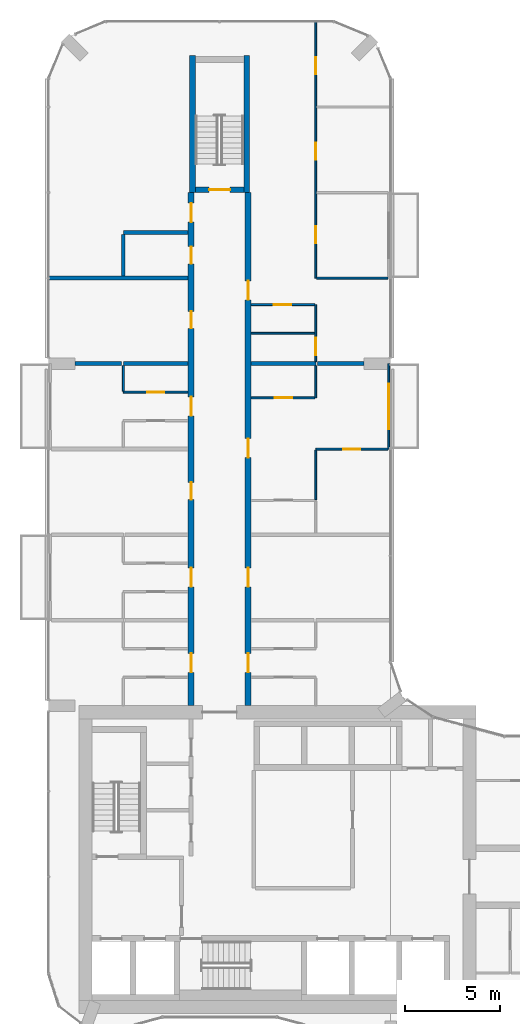
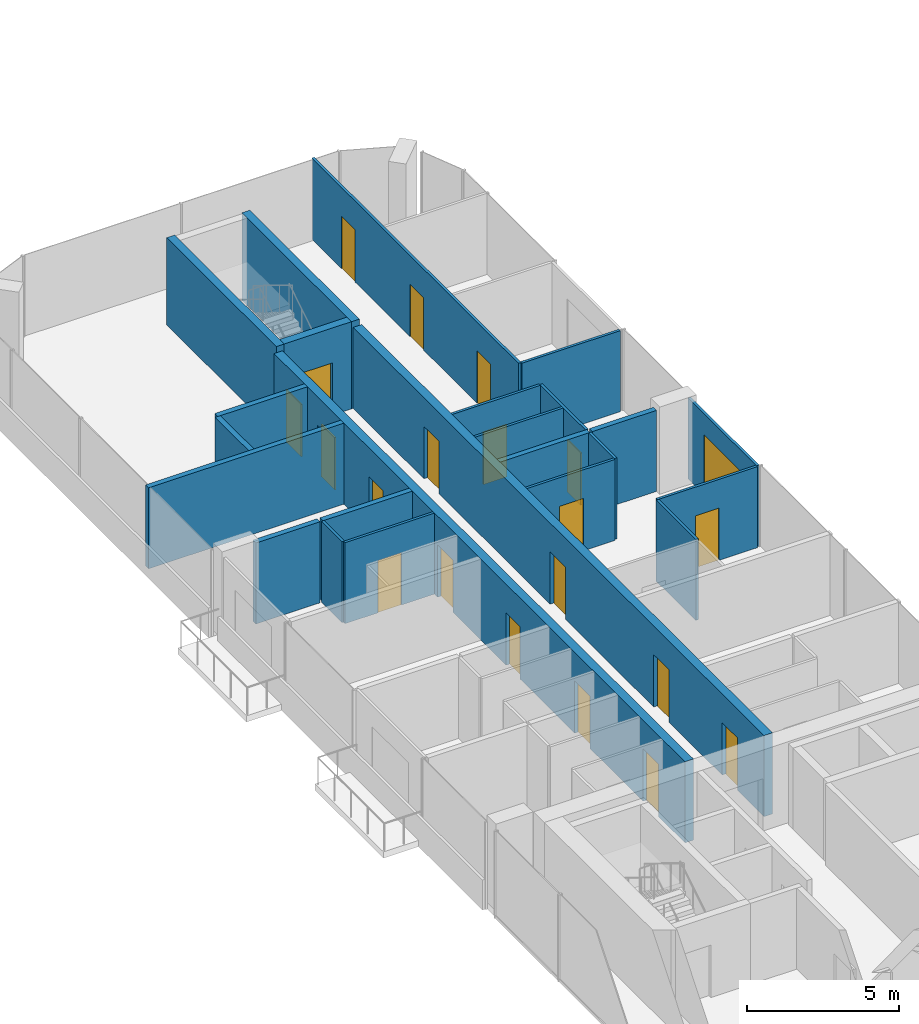
# One storey, part 16 of 23: 24 walls, 21 doors, 21 openings.
"""IFC4 building model written with IfcOpenShell, lengths in metres."""

from ifc_helpers import new_model, si_unit, direction, frame, frame_2d, origin, place, context, subcontext, project, spatial, rectangle, extrude, material, layer, layer_set, type_object, element, fill, save


model = new_model("IFC4")

# Units and contexts
model_context = context("Model", 3, precision=1e-05, world=origin(), true_north=direction((0.0, 1.0)))
body_context = subcontext(model_context, "Body", "Model", "MODEL_VIEW")
ifc_project = project(units=[si_unit("LENGTHUNIT", "METRE"), si_unit("AREAUNIT", "SQUARE_METRE"), si_unit("VOLUMEUNIT", "CUBIC_METRE"), si_unit("PLANEANGLEUNIT", "RADIAN"), si_unit("MASSUNIT", "GRAM", prefix="KILO")], contexts=[model_context])

# Site, building, storey
site_placement = place(None, origin())
site = spatial("IfcSite", under=ifc_project, at=site_placement, CompositionType="ELEMENT")
building_placement = place(site_placement, origin())
building = spatial("IfcBuilding", under=site, at=building_placement, Name="Plateau Cross Towers", CompositionType="ELEMENT")
storey_placement = place(building_placement, frame((0.0, 0.0, 88.800048828125)))
storey = spatial("IfcBuildingStorey", under=building, at=storey_placement, Name="L22", CompositionType="ELEMENT", Elevation=88.800048828125)

# Wall, opening, door
ifc_material_1 = material(Name="Aluminium framed glazing", Category="aluminium")
ifc_layer_1 = layer(ifc_material_1, 0.10009765625)
ifc_layer_set_1 = layer_set([ifc_layer_1], Name="Aluminium framed glazing")
wall_type_1 = type_object("IfcWallType", Name="Balcony screen wall 100", PredefinedType="STANDARD", material=ifc_layer_set_1)
wall_1_placement = place(storey_placement, frame((17.89990234375, 36.0, 0.0), z_axis=(0.0, 0.0, 1.0), x_axis=(0.0, -1.0, 0.0)))
wall_1 = element("IfcWall", 1, at=wall_1_placement, inside=storey, type_object=wall_type_1, Name="Balcony screen wall A-BAL-L22-03", PredefinedType="STANDARD", context=body_context, shape_type="SweptSolid", body=[
    extrude(rectangle(XDim=4.5, YDim=0.10009765625, at=frame_2d((2.25, 0.0))), origin(), (0.0, 0.0, 1.0), 3.25),
])
opening_1_placement = place(wall_1_placement, frame((1.050048828125, 0.0, 0.0)))
opening_1 = element("IfcOpeningElement", 2, at=opening_1_placement, cuts=wall_1, Name="Opening D-B24", PredefinedType="OPENING", context=body_context, shape_type="SweptSolid", body=[
    extrude(rectangle(XDim=2.39990234375, YDim=2.39990234375, at=frame_2d((1.199951171875, 1.199951171875))), frame((0.0, 0.06005859375, 0.0), z_axis=(0.0, -1.0, 0.0), x_axis=(1.0, 0.0, 0.0)), (0.0, 0.0, 1.0), 0.1201171875),
])
ifc_material_2 = material(Name="Aluminium frame, double glazing", Category="aluminium")
door_type_1 = type_object("IfcDoorType", Name="Balcony sliding door 2400", OperationType="NOTDEFINED", PredefinedType="DOOR", material=ifc_material_2)
door_1_placement = place(opening_1_placement, origin())
door_1 = element("IfcDoor", 3, at=door_1_placement, inside=storey, type_object=door_type_1, Name="Balcony door A-BAL-L22-03", OperationType="SINGLE_SWING_LEFT", OverallHeight=2.39990234375, OverallWidth=2.39990234375, PredefinedType="DOOR", context=body_context, shape_type="SweptSolid", body=[
    extrude(rectangle(XDim=2.39990234375, YDim=2.39990234375, at=frame_2d((1.199951171875, 1.199951171875))), frame((0.0, 0.02490234375, 0.0), z_axis=(0.0, -1.0, 0.0), x_axis=(1.0, 0.0, 0.0)), (0.0, 0.0, 1.0), 0.050048828125),
])
fill(opening_1, door_1)

# Wall, openings, doors
ifc_material_3 = material(Name="Concrete C60/75", Category="concrete")
ifc_layer_2 = layer(ifc_material_3, 0.324951171875)
ifc_layer_set_2 = layer_set([ifc_layer_2], Name="Concrete C60/75")
wall_type_2 = type_object("IfcWallType", Name="Corridor wall 325", PredefinedType="SHEAR", material=ifc_layer_set_2)
wall_2_placement = place(storey_placement, frame((7.5, 18.0, 0.0), z_axis=(0.0, 0.0, 1.0), x_axis=(0.0, 1.0, 0.0)))
wall_2 = element("IfcWall", 4, at=wall_2_placement, inside=storey, type_object=wall_type_2, Name="A-cw-W1@L22", PredefinedType="SHEAR", context=body_context, shape_type="SweptSolid", body=[
    extrude(rectangle(XDim=27.0, YDim=0.324951171875, at=frame_2d((13.5, 0.0))), origin(), (0.0, 0.0, 1.0), 3.25),
])
opening_2_placement = place(wall_2_placement, frame((1.75, 0.0, 0.0)))
opening_2 = element("IfcOpeningElement", 5, at=opening_2_placement, cuts=wall_2, Name="Opening 22-07", PredefinedType="OPENING", context=body_context, shape_type="SweptSolid", body=[
    extrude(rectangle(XDim=1.0, YDim=2.10009765625, at=frame_2d((0.5, 1.050048828125))), frame((0.0, 0.17236328125, 0.0), z_axis=(0.0, -1.0, 0.0), x_axis=(1.0, 0.0, 0.0)), (0.0, 0.0, 1.0), 0.344970703125),
])
opening_3_placement = place(wall_2_placement, frame((6.25, 0.0, 0.0)))
opening_3 = element("IfcOpeningElement", 6, at=opening_3_placement, cuts=wall_2, Name="Opening 22-08", PredefinedType="OPENING", context=body_context, shape_type="SweptSolid", body=[
    extrude(rectangle(XDim=1.0, YDim=2.10009765625, at=frame_2d((0.5, 1.050048828125))), frame((0.0, 0.17236328125, 0.0), z_axis=(0.0, -1.0, 0.0), x_axis=(1.0, 0.0, 0.0)), (0.0, 0.0, 1.0), 0.344970703125),
])
opening_4_placement = place(wall_2_placement, frame((10.85009765625, 0.0, 0.0)))
opening_4 = element("IfcOpeningElement", 7, at=opening_4_placement, cuts=wall_2, Name="Opening 22-09", PredefinedType="OPENING", context=body_context, shape_type="SweptSolid", body=[
    extrude(rectangle(XDim=0.89990234375, YDim=2.10009765625, at=frame_2d((0.449951171875, 1.050048828125))), frame((0.0, 0.17236328125, 0.0), z_axis=(0.0, -1.0, 0.0), x_axis=(1.0, 0.0, 0.0)), (0.0, 0.0, 1.0), 0.344970703125),
])
opening_5_placement = place(wall_2_placement, frame((15.25, 0.0, 0.0)))
opening_5 = element("IfcOpeningElement", 8, at=opening_5_placement, cuts=wall_2, Name="Opening 22-10", PredefinedType="OPENING", context=body_context, shape_type="SweptSolid", body=[
    extrude(rectangle(XDim=1.0, YDim=2.10009765625, at=frame_2d((0.5, 1.050048828125))), frame((0.0, 0.17236328125, 0.0), z_axis=(0.0, -1.0, 0.0), x_axis=(1.0, 0.0, 0.0)), (0.0, 0.0, 1.0), 0.344970703125),
])
opening_6_placement = place(wall_2_placement, frame((19.85009765625, 0.0, 0.0)))
opening_6 = element("IfcOpeningElement", 9, at=opening_6_placement, cuts=wall_2, Name="Opening 22-11", PredefinedType="OPENING", context=body_context, shape_type="SweptSolid", body=[
    extrude(rectangle(XDim=0.89990234375, YDim=2.10009765625, at=frame_2d((0.449951171875, 1.050048828125))), frame((0.0, 0.17236328125, 0.0), z_axis=(0.0, -1.0, 0.0), x_axis=(1.0, 0.0, 0.0)), (0.0, 0.0, 1.0), 0.344970703125),
])
opening_7_placement = place(wall_2_placement, frame((23.25, 0.0, 0.0)))
opening_7 = element("IfcOpeningElement", 10, at=opening_7_placement, cuts=wall_2, Name="Opening 22-12", PredefinedType="OPENING", context=body_context, shape_type="SweptSolid", body=[
    extrude(rectangle(XDim=0.89990234375, YDim=2.10009765625, at=frame_2d((0.449951171875, 1.050048828125))), frame((0.0, 0.17236328125, 0.0), z_axis=(0.0, -1.0, 0.0), x_axis=(1.0, 0.0, 0.0)), (0.0, 0.0, 1.0), 0.344970703125),
])
opening_8_placement = place(wall_2_placement, frame((25.449951171875, 0.0, 0.0)))
opening_8 = element("IfcOpeningElement", 11, at=opening_8_placement, cuts=wall_2, Name="Opening 22-13", PredefinedType="OPENING", context=body_context, shape_type="SweptSolid", body=[
    extrude(rectangle(XDim=1.0, YDim=2.10009765625, at=frame_2d((0.5, 1.050048828125))), frame((0.0, 0.17236328125, 0.0), z_axis=(0.0, -1.0, 0.0), x_axis=(1.0, 0.0, 0.0)), (0.0, 0.0, 1.0), 0.344970703125),
])
ifc_material_4 = material(Name="Timber, fire-resisting leaf", Category="wood")
door_type_2 = type_object("IfcDoorType", Name="Flat entrance door 1000", OperationType="NOTDEFINED", PredefinedType="DOOR", material=ifc_material_4)
door_2_placement = place(opening_2_placement, origin())
door_2 = element("IfcDoor", 12, at=door_2_placement, inside=storey, type_object=door_type_2, Name="Door 22-07", OperationType="SINGLE_SWING_LEFT", OverallHeight=2.10009765625, OverallWidth=1.0, PredefinedType="DOOR", context=body_context, shape_type="SweptSolid", body=[
    extrude(rectangle(XDim=1.0, YDim=2.10009765625, at=frame_2d((0.5, 1.050048828125))), frame((0.0, 0.02490234375, 0.0), z_axis=(0.0, -1.0, 0.0), x_axis=(1.0, 0.0, 0.0)), (0.0, 0.0, 1.0), 0.050048828125),
])
fill(opening_2, door_2)
door_3_placement = place(opening_3_placement, origin())
door_3 = element("IfcDoor", 13, at=door_3_placement, inside=storey, type_object=door_type_2, Name="Door 22-08", OperationType="SINGLE_SWING_LEFT", OverallHeight=2.10009765625, OverallWidth=1.0, PredefinedType="DOOR", context=body_context, shape_type="SweptSolid", body=[
    extrude(rectangle(XDim=1.0, YDim=2.10009765625, at=frame_2d((0.5, 1.050048828125))), frame((0.0, 0.02490234375, 0.0), z_axis=(0.0, -1.0, 0.0), x_axis=(1.0, 0.0, 0.0)), (0.0, 0.0, 1.0), 0.050048828125),
])
fill(opening_3, door_3)
door_4_placement = place(opening_5_placement, origin())
door_4 = element("IfcDoor", 14, at=door_4_placement, inside=storey, type_object=door_type_2, Name="Door 22-10", OperationType="SINGLE_SWING_RIGHT", OverallHeight=2.10009765625, OverallWidth=1.0, PredefinedType="DOOR", context=body_context, shape_type="SweptSolid", body=[
    extrude(rectangle(XDim=1.0, YDim=2.10009765625, at=frame_2d((0.5, 1.050048828125))), frame((0.0, 0.02490234375, 0.0), z_axis=(0.0, -1.0, 0.0), x_axis=(1.0, 0.0, 0.0)), (0.0, 0.0, 1.0), 0.050048828125),
])
fill(opening_5, door_4)
door_5_placement = place(opening_8_placement, origin())
door_5 = element("IfcDoor", 15, at=door_5_placement, inside=storey, type_object=door_type_2, Name="Door 22-13", OperationType="SINGLE_SWING_RIGHT", OverallHeight=2.10009765625, OverallWidth=1.0, PredefinedType="DOOR", context=body_context, shape_type="SweptSolid", body=[
    extrude(rectangle(XDim=1.0, YDim=2.10009765625, at=frame_2d((0.5, 1.050048828125))), frame((0.0, 0.02490234375, 0.0), z_axis=(0.0, -1.0, 0.0), x_axis=(1.0, 0.0, 0.0)), (0.0, 0.0, 1.0), 0.050048828125),
])
fill(opening_8, door_5)
door_type_3 = type_object("IfcDoorType", Name="Flat floor service door 900", OperationType="NOTDEFINED", PredefinedType="DOOR", material=ifc_material_4)
door_6_placement = place(opening_4_placement, origin())
door_6 = element("IfcDoor", 16, at=door_6_placement, inside=storey, type_object=door_type_3, Name="Door 22-09", OperationType="SINGLE_SWING_LEFT", OverallHeight=2.10009765625, OverallWidth=0.89990234375, PredefinedType="DOOR", context=body_context, shape_type="SweptSolid", body=[
    extrude(rectangle(XDim=0.89990234375, YDim=2.10009765625, at=frame_2d((0.449951171875, 1.050048828125))), frame((0.0, 0.02490234375, 0.0), z_axis=(0.0, -1.0, 0.0), x_axis=(1.0, 0.0, 0.0)), (0.0, 0.0, 1.0), 0.050048828125),
])
fill(opening_4, door_6)
door_7_placement = place(opening_6_placement, origin())
door_7 = element("IfcDoor", 17, at=door_7_placement, inside=storey, type_object=door_type_3, Name="Door 22-11", OperationType="SINGLE_SWING_RIGHT", OverallHeight=2.10009765625, OverallWidth=0.89990234375, PredefinedType="DOOR", context=body_context, shape_type="SweptSolid", body=[
    extrude(rectangle(XDim=0.89990234375, YDim=2.10009765625, at=frame_2d((0.449951171875, 1.050048828125))), frame((0.0, 0.02490234375, 0.0), z_axis=(0.0, -1.0, 0.0), x_axis=(1.0, 0.0, 0.0)), (0.0, 0.0, 1.0), 0.050048828125),
])
fill(opening_6, door_7)
door_8_placement = place(opening_7_placement, origin())
door_8 = element("IfcDoor", 18, at=door_8_placement, inside=storey, type_object=door_type_3, Name="Door 22-12", OperationType="SINGLE_SWING_RIGHT", OverallHeight=2.10009765625, OverallWidth=0.89990234375, PredefinedType="DOOR", context=body_context, shape_type="SweptSolid", body=[
    extrude(rectangle(XDim=0.89990234375, YDim=2.10009765625, at=frame_2d((0.449951171875, 1.050048828125))), frame((0.0, 0.02490234375, 0.0), z_axis=(0.0, -1.0, 0.0), x_axis=(1.0, 0.0, 0.0)), (0.0, 0.0, 1.0), 0.050048828125),
])
fill(opening_7, door_8)

wall_3_placement = place(storey_placement, frame((10.5, 18.0, 0.0), z_axis=(0.0, 0.0, 1.0), x_axis=(0.0, 1.0, 0.0)))
wall_3 = element("IfcWall", 19, at=wall_3_placement, inside=storey, type_object=wall_type_2, Name="A-cw-W2@L22", PredefinedType="SHEAR", context=body_context, shape_type="SweptSolid", body=[
    extrude(rectangle(XDim=27.0, YDim=0.324951171875, at=frame_2d((13.5, 0.0))), origin(), (0.0, 0.0, 1.0), 3.25),
])
opening_9_placement = place(wall_3_placement, frame((1.75, 0.0, 0.0)))
opening_9 = element("IfcOpeningElement", 20, at=opening_9_placement, cuts=wall_3, Name="Opening 22-14", PredefinedType="OPENING", context=body_context, shape_type="SweptSolid", body=[
    extrude(rectangle(XDim=1.0, YDim=2.10009765625, at=frame_2d((0.5, 1.050048828125))), frame((0.0, 0.17236328125, 0.0), z_axis=(0.0, -1.0, 0.0), x_axis=(1.0, 0.0, 0.0)), (0.0, 0.0, 1.0), 0.344970703125),
])
opening_10_placement = place(wall_3_placement, frame((6.25, 0.0, 0.0)))
opening_10 = element("IfcOpeningElement", 21, at=opening_10_placement, cuts=wall_3, Name="Opening 22-15", PredefinedType="OPENING", context=body_context, shape_type="SweptSolid", body=[
    extrude(rectangle(XDim=1.0, YDim=2.10009765625, at=frame_2d((0.5, 1.050048828125))), frame((0.0, 0.17236328125, 0.0), z_axis=(0.0, -1.0, 0.0), x_axis=(1.0, 0.0, 0.0)), (0.0, 0.0, 1.0), 0.344970703125),
])
opening_11_placement = place(wall_3_placement, frame((13.050048828125, 0.0, 0.0)))
opening_11 = element("IfcOpeningElement", 22, at=opening_11_placement, cuts=wall_3, Name="Opening 22-16", PredefinedType="OPENING", context=body_context, shape_type="SweptSolid", body=[
    extrude(rectangle(XDim=1.0, YDim=2.10009765625, at=frame_2d((0.5, 1.050048828125))), frame((0.0, 0.17236328125, 0.0), z_axis=(0.0, -1.0, 0.0), x_axis=(1.0, 0.0, 0.0)), (0.0, 0.0, 1.0), 0.344970703125),
])
opening_12_placement = place(wall_3_placement, frame((21.35009765625, 0.0, 0.0)))
opening_12 = element("IfcOpeningElement", 23, at=opening_12_placement, cuts=wall_3, Name="Opening 22-17", PredefinedType="OPENING", context=body_context, shape_type="SweptSolid", body=[
    extrude(rectangle(XDim=1.0, YDim=2.10009765625, at=frame_2d((0.5, 1.050048828125))), frame((0.0, 0.17236328125, 0.0), z_axis=(0.0, -1.0, 0.0), x_axis=(1.0, 0.0, 0.0)), (0.0, 0.0, 1.0), 0.344970703125),
])
door_9_placement = place(opening_9_placement, origin())
door_9 = element("IfcDoor", 24, at=door_9_placement, inside=storey, type_object=door_type_2, Name="Door 22-14", OperationType="SINGLE_SWING_LEFT", OverallHeight=2.10009765625, OverallWidth=1.0, PredefinedType="DOOR", context=body_context, shape_type="SweptSolid", body=[
    extrude(rectangle(XDim=1.0, YDim=2.10009765625, at=frame_2d((0.5, 1.050048828125))), frame((0.0, 0.02490234375, 0.0), z_axis=(0.0, -1.0, 0.0), x_axis=(1.0, 0.0, 0.0)), (0.0, 0.0, 1.0), 0.050048828125),
])
fill(opening_9, door_9)
door_10_placement = place(opening_10_placement, origin())
door_10 = element("IfcDoor", 25, at=door_10_placement, inside=storey, type_object=door_type_2, Name="Door 22-15", OperationType="SINGLE_SWING_LEFT", OverallHeight=2.10009765625, OverallWidth=1.0, PredefinedType="DOOR", context=body_context, shape_type="SweptSolid", body=[
    extrude(rectangle(XDim=1.0, YDim=2.10009765625, at=frame_2d((0.5, 1.050048828125))), frame((0.0, 0.02490234375, 0.0), z_axis=(0.0, -1.0, 0.0), x_axis=(1.0, 0.0, 0.0)), (0.0, 0.0, 1.0), 0.050048828125),
])
fill(opening_10, door_10)
door_11_placement = place(opening_11_placement, origin())
door_11 = element("IfcDoor", 26, at=door_11_placement, inside=storey, type_object=door_type_2, Name="Door 22-16", OperationType="SINGLE_SWING_RIGHT", OverallHeight=2.10009765625, OverallWidth=1.0, PredefinedType="DOOR", context=body_context, shape_type="SweptSolid", body=[
    extrude(rectangle(XDim=1.0, YDim=2.10009765625, at=frame_2d((0.5, 1.050048828125))), frame((0.0, 0.02490234375, 0.0), z_axis=(0.0, -1.0, 0.0), x_axis=(1.0, 0.0, 0.0)), (0.0, 0.0, 1.0), 0.050048828125),
])
fill(opening_11, door_11)
door_12_placement = place(opening_12_placement, origin())
door_12 = element("IfcDoor", 27, at=door_12_placement, inside=storey, type_object=door_type_2, Name="Door 22-17", OperationType="SINGLE_SWING_RIGHT", OverallHeight=2.10009765625, OverallWidth=1.0, PredefinedType="DOOR", context=body_context, shape_type="SweptSolid", body=[
    extrude(rectangle(XDim=1.0, YDim=2.10009765625, at=frame_2d((0.5, 1.050048828125))), frame((0.0, 0.02490234375, 0.0), z_axis=(0.0, -1.0, 0.0), x_axis=(1.0, 0.0, 0.0)), (0.0, 0.0, 1.0), 0.050048828125),
])
fill(opening_12, door_12)

# Wall, opening, door
ifc_material_5 = material(Name="Gypsum board on steel studs", Category="steel")
ifc_layer_3 = layer(ifc_material_5, 0.10009765625)
ifc_layer_set_3 = layer_set([ifc_layer_3], Name="Gypsum board on steel studs")
wall_type_3 = type_object("IfcWallType", Name="Flat partition 100", PredefinedType="PARTITIONING", material=ifc_layer_set_3)
wall_4_placement = place(storey_placement, frame((17.85009765625, 31.5, 0.0), z_axis=(0.0, 0.0, 1.0), x_axis=(-1.0, 0.0, 0.0)))
wall_4 = element("IfcWall", 28, at=wall_4_placement, inside=storey, type_object=wall_type_3, Name="Partition wall", PredefinedType="PARTITIONING", context=body_context, shape_type="SweptSolid", body=[
    extrude(rectangle(XDim=3.78759765625, YDim=0.10009765625, at=frame_2d((1.893798828125, 0.0))), origin(), (0.0, 0.0, 1.0), 3.25),
])
opening_13_placement = place(wall_4_placement, frame((1.449951171875, 0.0, 0.0)))
opening_13 = element("IfcOpeningElement", 29, at=opening_13_placement, cuts=wall_4, Name="Opening 22-43", PredefinedType="OPENING", context=body_context, shape_type="SweptSolid", body=[
    extrude(rectangle(XDim=0.89990234375, YDim=2.10009765625, at=frame_2d((0.449951171875, 1.050048828125))), frame((0.0, 0.06005859375, 0.0), z_axis=(0.0, -1.0, 0.0), x_axis=(1.0, 0.0, 0.0)), (0.0, 0.0, 1.0), 0.1201171875),
])
ifc_material_6 = material(Name="Timber leaf", Category="wood")
door_type_4 = type_object("IfcDoorType", Name="Flat room door 900", OperationType="NOTDEFINED", PredefinedType="DOOR", material=ifc_material_6)
door_13_placement = place(opening_13_placement, origin())
door_13 = element("IfcDoor", 30, at=door_13_placement, inside=storey, type_object=door_type_4, Name="Door 22-43", OperationType="SINGLE_SWING_RIGHT", OverallHeight=2.10009765625, OverallWidth=0.89990234375, PredefinedType="DOOR", context=body_context, shape_type="SweptSolid", body=[
    extrude(rectangle(XDim=0.89990234375, YDim=2.10009765625, at=frame_2d((0.449951171875, 1.050048828125))), frame((0.0, 0.02490234375, 0.0), z_axis=(0.0, -1.0, 0.0), x_axis=(1.0, 0.0, 0.0)), (0.0, 0.0, 1.0), 0.050048828125),
])
fill(opening_13, door_13)

wall_5_placement = place(storey_placement, frame((10.66259765625, 34.199951171875, 0.0), z_axis=(0.0, 0.0, 1.0), x_axis=(1.0, 0.0, 0.0)))
wall_5 = element("IfcWall", 31, at=wall_5_placement, inside=storey, type_object=wall_type_3, Name="Partition wall", PredefinedType="PARTITIONING", context=body_context, shape_type="SweptSolid", body=[
    extrude(rectangle(XDim=3.349853515625, YDim=0.10009765625, at=frame_2d((1.6748046875, 0.0))), origin(), (0.0, 0.0, 1.0), 3.25),
])
opening_14_placement = place(wall_5_placement, frame((1.25, 0.0, 0.0)))
opening_14 = element("IfcOpeningElement", 32, at=opening_14_placement, cuts=wall_5, Name="Opening 22-42", PredefinedType="OPENING", context=body_context, shape_type="SweptSolid", body=[
    extrude(rectangle(XDim=0.89990234375, YDim=2.10009765625, at=frame_2d((0.449951171875, 1.050048828125))), frame((0.0, 0.06005859375, 0.0), z_axis=(0.0, -1.0, 0.0), x_axis=(1.0, 0.0, 0.0)), (0.0, 0.0, 1.0), 0.1201171875),
])
door_14_placement = place(opening_14_placement, origin())
door_14 = element("IfcDoor", 33, at=door_14_placement, inside=storey, type_object=door_type_4, Name="Door 22-42", OperationType="SINGLE_SWING_RIGHT", OverallHeight=2.10009765625, OverallWidth=0.89990234375, PredefinedType="DOOR", context=body_context, shape_type="SweptSolid", body=[
    extrude(rectangle(XDim=0.89990234375, YDim=2.10009765625, at=frame_2d((0.449951171875, 1.050048828125))), frame((0.0, 0.02490234375, 0.0), z_axis=(0.0, -1.0, 0.0), x_axis=(1.0, 0.0, 0.0)), (0.0, 0.0, 1.0), 0.050048828125),
])
fill(opening_14, door_14)

wall_6_placement = place(storey_placement, frame((3.9375, 34.5, 0.0), z_axis=(0.0, 0.0, 1.0), x_axis=(1.0, 0.0, 0.0)))
wall_6 = element("IfcWall", 34, at=wall_6_placement, inside=storey, type_object=wall_type_3, Name="Partition wall", PredefinedType="PARTITIONING", context=body_context, shape_type="SweptSolid", body=[
    extrude(rectangle(XDim=3.39990234375, YDim=0.10009765625, at=frame_2d((1.699951171875, 0.0))), origin(), (0.0, 0.0, 1.0), 3.25),
])
opening_15_placement = place(wall_6_placement, frame((1.25, 0.0, 0.0)))
opening_15 = element("IfcOpeningElement", 35, at=opening_15_placement, cuts=wall_6, Name="Opening 22-38", PredefinedType="OPENING", context=body_context, shape_type="SweptSolid", body=[
    extrude(rectangle(XDim=0.89990234375, YDim=2.10009765625, at=frame_2d((0.449951171875, 1.050048828125))), frame((0.0, 0.06005859375, 0.0), z_axis=(0.0, -1.0, 0.0), x_axis=(1.0, 0.0, 0.0)), (0.0, 0.0, 1.0), 0.1201171875),
])
door_15_placement = place(opening_15_placement, origin())
door_15 = element("IfcDoor", 36, at=door_15_placement, inside=storey, type_object=door_type_4, Name="Door 22-38", OperationType="SINGLE_SWING_LEFT", OverallHeight=2.10009765625, OverallWidth=0.89990234375, PredefinedType="DOOR", context=body_context, shape_type="SweptSolid", body=[
    extrude(rectangle(XDim=0.89990234375, YDim=2.10009765625, at=frame_2d((0.449951171875, 1.050048828125))), frame((0.0, 0.02490234375, 0.0), z_axis=(0.0, -1.0, 0.0), x_axis=(1.0, 0.0, 0.0)), (0.0, 0.0, 1.0), 0.050048828125),
])
fill(opening_15, door_15)

# Wall
wall_7_placement = place(storey_placement, frame((14.012451171875, 37.60009765625, 0.0), z_axis=(0.0, 0.0, 1.0), x_axis=(-1.0, 0.0, 0.0)))
element("IfcWall", 37, at=wall_7_placement, inside=storey, type_object=wall_type_3, Name="Partition wall", PredefinedType="PARTITIONING", context=body_context, shape_type="SweptSolid", body=[
    extrude(rectangle(XDim=3.349853515625, YDim=0.10009765625, at=frame_2d((1.6748046875, 0.0))), origin(), (0.0, 0.0, 1.0), 3.25),
])

# Wall, opening, door
wall_8_placement = place(storey_placement, frame((14.012451171875, 39.10009765625, 0.0), z_axis=(0.0, 0.0, 1.0), x_axis=(-1.0, 0.0, 0.0)))
wall_8 = element("IfcWall", 38, at=wall_8_placement, inside=storey, type_object=wall_type_3, Name="Partition wall", PredefinedType="PARTITIONING", context=body_context, shape_type="SweptSolid", body=[
    extrude(rectangle(XDim=3.349853515625, YDim=0.10009765625, at=frame_2d((1.6748046875, 0.0))), origin(), (0.0, 0.0, 1.0), 3.25),
])
opening_16_placement = place(wall_8_placement, frame((1.25, 0.0, 0.0)))
opening_16 = element("IfcOpeningElement", 39, at=opening_16_placement, cuts=wall_8, Name="Opening 22-45", PredefinedType="OPENING", context=body_context, shape_type="SweptSolid", body=[
    extrude(rectangle(XDim=0.89990234375, YDim=2.10009765625, at=frame_2d((0.449951171875, 1.050048828125))), frame((0.0, 0.06005859375, 0.0), z_axis=(0.0, -1.0, 0.0), x_axis=(1.0, 0.0, 0.0)), (0.0, 0.0, 1.0), 0.1201171875),
])
door_16_placement = place(opening_16_placement, origin())
door_16 = element("IfcDoor", 40, at=door_16_placement, inside=storey, type_object=door_type_4, Name="Door 22-45", OperationType="SINGLE_SWING_RIGHT", OverallHeight=2.10009765625, OverallWidth=0.89990234375, PredefinedType="DOOR", context=body_context, shape_type="SweptSolid", body=[
    extrude(rectangle(XDim=0.89990234375, YDim=2.10009765625, at=frame_2d((0.449951171875, 1.050048828125))), frame((0.0, 0.02490234375, 0.0), z_axis=(0.0, -1.0, 0.0), x_axis=(1.0, 0.0, 0.0)), (0.0, 0.0, 1.0), 0.050048828125),
])
fill(opening_16, door_16)

# Walls
wall_9_placement = place(storey_placement, frame((14.112548828125, 40.5, 0.0), z_axis=(0.0, 0.0, 1.0), x_axis=(1.0, 0.0, 0.0)))
element("IfcWall", 41, at=wall_9_placement, inside=storey, type_object=wall_type_3, Name="Partition wall", PredefinedType="PARTITIONING", context=body_context, shape_type="SweptSolid", body=[
    extrude(rectangle(XDim=3.737548828125, YDim=0.10009765625, at=frame_2d((1.86865234375, 0.0))), origin(), (0.0, 0.0, 1.0), 3.25),
])
wall_10_placement = place(storey_placement, frame((3.9375, 35.89990234375, 0.0), z_axis=(0.0, 0.0, 1.0), x_axis=(0.0, -1.0, 0.0)))
element("IfcWall", 42, at=wall_10_placement, inside=storey, type_object=wall_type_3, Name="Partition wall", PredefinedType="PARTITIONING", context=body_context, shape_type="SweptSolid", body=[
    extrude(rectangle(XDim=1.349853515625, YDim=0.10009765625, at=frame_2d((0.6748046875, 0.0))), origin(), (0.0, 0.0, 1.0), 3.25),
])
wall_11_placement = place(storey_placement, frame((14.0625, 31.449951171875, 0.0), z_axis=(0.0, 0.0, 1.0), x_axis=(0.0, -1.0, 0.0)))
element("IfcWall", 43, at=wall_11_placement, inside=storey, type_object=wall_type_3, Name="Partition wall", PredefinedType="PARTITIONING", context=body_context, shape_type="SweptSolid", body=[
    extrude(rectangle(XDim=2.599853515625, YDim=0.10009765625, at=frame_2d((1.2998046875, 0.0))), origin(), (0.0, 0.0, 1.0), 3.25),
])

# Wall, openings, doors
wall_12_placement = place(storey_placement, frame((14.0625, 54.080078125, 0.0), z_axis=(0.0, 0.0, 1.0), x_axis=(0.0, -1.0, 0.0)))
wall_12 = element("IfcWall", 44, at=wall_12_placement, inside=storey, type_object=wall_type_3, Name="Partition wall", PredefinedType="PARTITIONING", context=body_context, shape_type="SweptSolid", body=[
    extrude(rectangle(XDim=13.580078125, YDim=0.10009765625, at=frame_2d((6.7900390625, 0.0))), origin(), (0.0, 0.0, 1.0), 3.25),
])
opening_17_placement = place(wall_12_placement, frame((10.85009765625, 0.0, 0.0)))
opening_17 = element("IfcOpeningElement", 45, at=opening_17_placement, cuts=wall_12, Name="Opening 22-46", PredefinedType="OPENING", context=body_context, shape_type="SweptSolid", body=[
    extrude(rectangle(XDim=0.89990234375, YDim=2.10009765625, at=frame_2d((0.449951171875, 1.050048828125))), frame((0.0, 0.06005859375, 0.0), z_axis=(0.0, -1.0, 0.0), x_axis=(1.0, 0.0, 0.0)), (0.0, 0.0, 1.0), 0.1201171875),
])
opening_18_placement = place(wall_12_placement, frame((6.449951171875, 0.0, 0.0)))
opening_18 = element("IfcOpeningElement", 46, at=opening_18_placement, cuts=wall_12, Name="Opening 22-47", PredefinedType="OPENING", context=body_context, shape_type="SweptSolid", body=[
    extrude(rectangle(XDim=0.89990234375, YDim=2.10009765625, at=frame_2d((0.449951171875, 1.050048828125))), frame((0.0, 0.06005859375, 0.0), z_axis=(0.0, -1.0, 0.0), x_axis=(1.0, 0.0, 0.0)), (0.0, 0.0, 1.0), 0.1201171875),
])
opening_19_placement = place(wall_12_placement, frame((1.949951171875, 0.0, 0.0)))
opening_19 = element("IfcOpeningElement", 47, at=opening_19_placement, cuts=wall_12, Name="Opening 22-48", PredefinedType="OPENING", context=body_context, shape_type="SweptSolid", body=[
    extrude(rectangle(XDim=0.89990234375, YDim=2.10009765625, at=frame_2d((0.449951171875, 1.050048828125))), frame((0.0, 0.06005859375, 0.0), z_axis=(0.0, -1.0, 0.0), x_axis=(1.0, 0.0, 0.0)), (0.0, 0.0, 1.0), 0.1201171875),
])
door_17_placement = place(opening_17_placement, origin())
door_17 = element("IfcDoor", 48, at=door_17_placement, inside=storey, type_object=door_type_4, Name="Door 22-46", OperationType="SINGLE_SWING_RIGHT", OverallHeight=2.10009765625, OverallWidth=0.89990234375, PredefinedType="DOOR", context=body_context, shape_type="SweptSolid", body=[
    extrude(rectangle(XDim=0.89990234375, YDim=2.10009765625, at=frame_2d((0.449951171875, 1.050048828125))), frame((0.0, 0.02490234375, 0.0), z_axis=(0.0, -1.0, 0.0), x_axis=(1.0, 0.0, 0.0)), (0.0, 0.0, 1.0), 0.050048828125),
])
fill(opening_17, door_17)
door_18_placement = place(opening_18_placement, origin())
door_18 = element("IfcDoor", 49, at=door_18_placement, inside=storey, type_object=door_type_4, Name="Door 22-47", OperationType="SINGLE_SWING_RIGHT", OverallHeight=2.10009765625, OverallWidth=0.89990234375, PredefinedType="DOOR", context=body_context, shape_type="SweptSolid", body=[
    extrude(rectangle(XDim=0.89990234375, YDim=2.10009765625, at=frame_2d((0.449951171875, 1.050048828125))), frame((0.0, 0.02490234375, 0.0), z_axis=(0.0, -1.0, 0.0), x_axis=(1.0, 0.0, 0.0)), (0.0, 0.0, 1.0), 0.050048828125),
])
fill(opening_18, door_18)
door_19_placement = place(opening_19_placement, origin())
door_19 = element("IfcDoor", 50, at=door_19_placement, inside=storey, type_object=door_type_4, Name="Door 22-48", OperationType="SINGLE_SWING_LEFT", OverallHeight=2.10009765625, OverallWidth=0.89990234375, PredefinedType="DOOR", context=body_context, shape_type="SweptSolid", body=[
    extrude(rectangle(XDim=0.89990234375, YDim=2.10009765625, at=frame_2d((0.449951171875, 1.050048828125))), frame((0.0, 0.02490234375, 0.0), z_axis=(0.0, -1.0, 0.0), x_axis=(1.0, 0.0, 0.0)), (0.0, 0.0, 1.0), 0.050048828125),
])
fill(opening_19, door_19)

# Wall
wall_13_placement = place(storey_placement, frame((14.0625, 34.199951171875, 0.0), z_axis=(0.0, 0.0, 1.0), x_axis=(0.0, 1.0, 0.0)))
element("IfcWall", 51, at=wall_13_placement, inside=storey, type_object=wall_type_3, Name="Partition wall", PredefinedType="PARTITIONING", context=body_context, shape_type="SweptSolid", body=[
    extrude(rectangle(XDim=1.699951171875, YDim=0.10009765625, at=frame_2d((0.85009765625, 0.0))), origin(), (0.0, 0.0, 1.0), 3.25),
])

# Wall, opening, door
wall_14_placement = place(storey_placement, frame((14.0625, 36.10009765625, 0.0), z_axis=(0.0, 0.0, 1.0), x_axis=(0.0, 1.0, 0.0)))
wall_14 = element("IfcWall", 52, at=wall_14_placement, inside=storey, type_object=wall_type_3, Name="Partition wall", PredefinedType="PARTITIONING", context=body_context, shape_type="SweptSolid", body=[
    extrude(rectangle(XDim=3.0, YDim=0.10009765625, at=frame_2d((1.5, 0.0))), origin(), (0.0, 0.0, 1.0), 3.25),
])
opening_20_placement = place(wall_14_placement, frame((0.35009765625, 0.0, 0.0)))
opening_20 = element("IfcOpeningElement", 53, at=opening_20_placement, cuts=wall_14, Name="Opening 22-44", PredefinedType="OPENING", context=body_context, shape_type="SweptSolid", body=[
    extrude(rectangle(XDim=0.89990234375, YDim=2.10009765625, at=frame_2d((0.449951171875, 1.050048828125))), frame((0.0, 0.06005859375, 0.0), z_axis=(0.0, -1.0, 0.0), x_axis=(1.0, 0.0, 0.0)), (0.0, 0.0, 1.0), 0.1201171875),
])
door_20_placement = place(opening_20_placement, origin())
door_20 = element("IfcDoor", 54, at=door_20_placement, inside=storey, type_object=door_type_4, Name="Door 22-44", OperationType="SINGLE_SWING_LEFT", OverallHeight=2.10009765625, OverallWidth=0.89990234375, PredefinedType="DOOR", context=body_context, shape_type="SweptSolid", body=[
    extrude(rectangle(XDim=0.89990234375, YDim=2.10009765625, at=frame_2d((0.449951171875, 1.050048828125))), frame((0.0, 0.02490234375, 0.0), z_axis=(0.0, -1.0, 0.0), x_axis=(1.0, 0.0, 0.0)), (0.0, 0.0, 1.0), 0.050048828125),
])
fill(opening_20, door_20)

# Walls
ifc_material_7 = material(Name="Gypsum board on steel studs, two layers each side", Category="steel")
ifc_layer_4 = layer(ifc_material_7, 0.199951171875)
ifc_layer_set_4 = layer_set([ifc_layer_4], Name="Gypsum board on steel studs, two layers each side")
wall_type_4 = type_object("IfcWallType", Name="Flat party wall 200", PredefinedType="PARTITIONING", material=ifc_layer_set_4)
for number, where, z_axis, x_axis, name in (
    (55, (7.33740234375, 36.0, 0.0), (0.0, 0.0, 1.0), (-1.0, 0.0, 0.0), "Party wall"),
    (56, (14.0625, 36.0, 0.0), (0.0, 0.0, 1.0), (-1.0, 0.0, 0.0), "Party wall"),
):
    element("IfcWall", number, at=place(storey_placement, frame(where, z_axis=z_axis, x_axis=x_axis)), inside=storey, type_object=wall_type_4, Name=name, PredefinedType="PARTITIONING", context=body_context, shape_type="SweptSolid", body=[
        extrude(rectangle(XDim=3.39990234375, YDim=0.199951171875, at=frame_2d((1.699951171875, 0.0))), origin(), (0.0, 0.0, 1.0), 3.25),
    ])
for number, where, z_axis, x_axis, name in (
    (57, (1.39990234375, 36.0, 0.0), (0.0, 0.0, 1.0), (1.0, 0.0, 0.0), "Party wall"),
    (58, (14.16259765625, 36.0, 0.0), (0.0, 0.0, 1.0), (1.0, 0.0, 0.0), "Party wall"),
):
    element("IfcWall", number, at=place(storey_placement, frame(where, z_axis=z_axis, x_axis=x_axis)), inside=storey, type_object=wall_type_4, Name=name, PredefinedType="PARTITIONING", context=body_context, shape_type="SweptSolid", body=[
        extrude(rectangle(XDim=2.4375, YDim=0.199951171875, at=frame_2d((1.21875, 0.0))), origin(), (0.0, 0.0, 1.0), 3.25),
    ])
wall_15_placement = place(storey_placement, frame((7.33740234375, 40.5, 0.0), z_axis=(0.0, 0.0, 1.0), x_axis=(-1.0, 0.0, 0.0)))
element("IfcWall", 59, at=wall_15_placement, inside=storey, type_object=wall_type_4, Name="Party wall", PredefinedType="PARTITIONING", context=body_context, shape_type="SweptSolid", body=[
    extrude(rectangle(XDim=7.41748046875, YDim=0.199951171875, at=frame_2d((3.708740234375, 0.0))), origin(), (0.0, 0.0, 1.0), 3.25),
])
wall_16_placement = place(storey_placement, frame((7.33740234375, 42.89990234375, 0.0), z_axis=(0.0, 0.0, 1.0), x_axis=(-1.0, 0.0, 0.0)))
element("IfcWall", 60, at=wall_16_placement, inside=storey, type_object=wall_type_4, Name="Party wall", PredefinedType="PARTITIONING", context=body_context, shape_type="SweptSolid", body=[
    extrude(rectangle(XDim=3.39990234375, YDim=0.199951171875, at=frame_2d((1.699951171875, 0.0))), origin(), (0.0, 0.0, 1.0), 3.25),
])
wall_17_placement = place(storey_placement, frame((3.9375, 42.800048828125, 0.0), z_axis=(0.0, 0.0, 1.0), x_axis=(0.0, -1.0, 0.0)))
element("IfcWall", 61, at=wall_17_placement, inside=storey, type_object=wall_type_4, Name="Party wall", PredefinedType="PARTITIONING", context=body_context, shape_type="SweptSolid", body=[
    extrude(rectangle(XDim=2.199951171875, YDim=0.199951171875, at=frame_2d((1.10009765625, 0.0))), origin(), (0.0, 0.0, 1.0), 3.25),
])

# Wall, opening, door
ifc_layer_5 = layer(ifc_material_3, 0.300048828125)
ifc_layer_set_5 = layer_set([ifc_layer_5], Name="Concrete C60/75")
wall_type_5 = type_object("IfcWallType", Name="Stair tower wall 300", PredefinedType="SHEAR", material=ifc_layer_set_5)
wall_18_placement = place(storey_placement, frame((7.72509765625, 45.14990234375, 0.0), z_axis=(0.0, 0.0, 1.0), x_axis=(1.0, 0.0, 0.0)))
wall_18 = element("IfcWall", 62, at=wall_18_placement, inside=storey, type_object=wall_type_5, Name="A-end-N-S@L22", PredefinedType="SHEAR", context=body_context, shape_type="SweptSolid", body=[
    extrude(rectangle(XDim=2.5498046875, YDim=0.300048828125, at=frame_2d((1.27490234375, 0.0))), origin(), (0.0, 0.0, 1.0), 3.5),
])
opening_21_placement = place(wall_18_placement, frame((0.72509765625, 0.0, 0.0)))
opening_21 = element("IfcOpeningElement", 63, at=opening_21_placement, cuts=wall_18, Name="Opening SD", PredefinedType="OPENING", context=body_context, shape_type="SweptSolid", body=[
    extrude(rectangle(XDim=1.10009765625, YDim=2.10009765625, at=frame_2d((0.550048828125, 1.050048828125))), frame((0.0, 0.159912109375, 0.0), z_axis=(0.0, -1.0, 0.0), x_axis=(1.0, 0.0, 0.0)), (0.0, 0.0, 1.0), 0.320068359375),
])
ifc_material_8 = material(Name="Steel, fire-resisting leaf", Category="steel")
door_type_5 = type_object("IfcDoorType", Name="Stair door 1100", OperationType="NOTDEFINED", PredefinedType="DOOR", material=ifc_material_8)
door_21_placement = place(opening_21_placement, origin())
door_21 = element("IfcDoor", 64, at=door_21_placement, inside=storey, type_object=door_type_5, Name="Stair door SD", OperationType="SINGLE_SWING_LEFT", OverallHeight=2.10009765625, OverallWidth=1.10009765625, PredefinedType="DOOR", context=body_context, shape_type="SweptSolid", body=[
    extrude(rectangle(XDim=1.10009765625, YDim=2.10009765625, at=frame_2d((0.550048828125, 1.050048828125))), frame((0.0, 0.02490234375, 0.0), z_axis=(0.0, -1.0, 0.0), x_axis=(1.0, 0.0, 0.0)), (0.0, 0.0, 1.0), 0.050048828125),
])
fill(opening_21, door_21)

# Walls
for number, where, z_axis, x_axis, name in (
    (65, (7.574951171875, 45.0, 0.0), (0.0, 0.0, 1.0), (0.0, 1.0, 0.0), "A-end-N-W@L22"),
    (66, (10.425048828125, 45.0, 0.0), (0.0, 0.0, 1.0), (0.0, 1.0, 0.0), "A-end-N-E@L22"),
):
    element("IfcWall", number, at=place(storey_placement, frame(where, z_axis=z_axis, x_axis=x_axis)), inside=storey, type_object=wall_type_5, Name=name, PredefinedType="SHEAR", context=body_context, shape_type="SweptSolid", body=[
        extrude(rectangle(XDim=7.199951171875, YDim=0.300048828125, at=frame_2d((3.60009765625, 0.0))), origin(), (0.0, 0.0, 1.0), 3.5),
    ])

save(model, "model.ifc")
